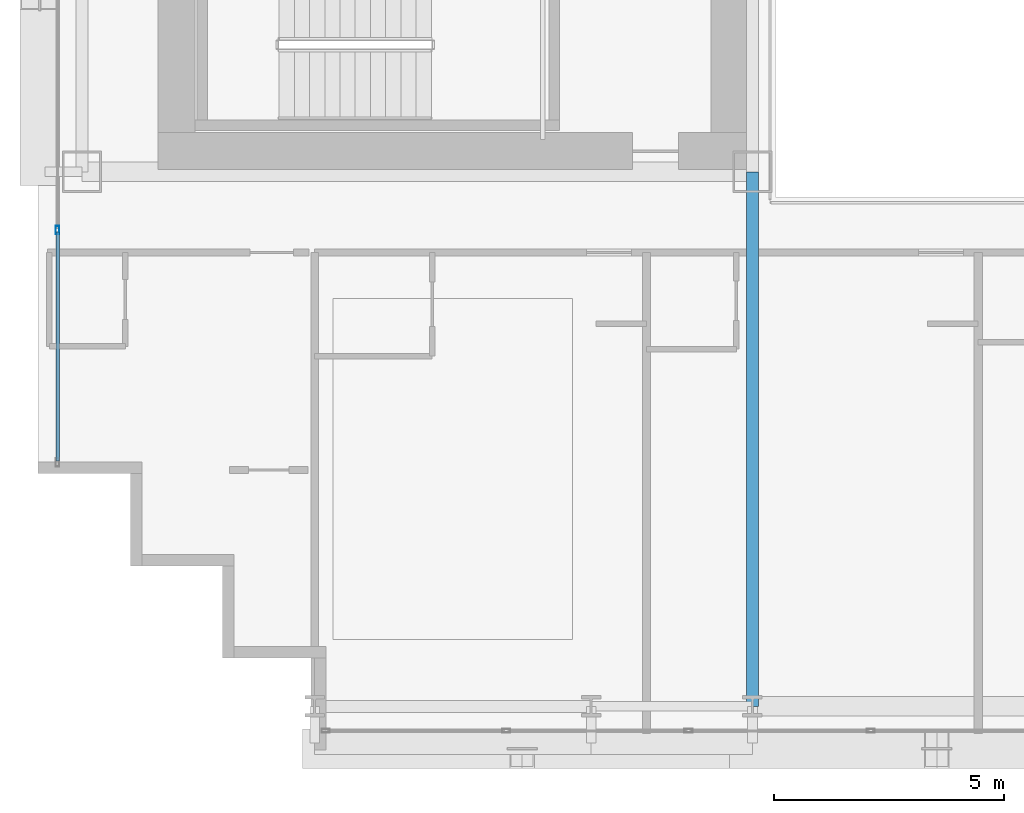
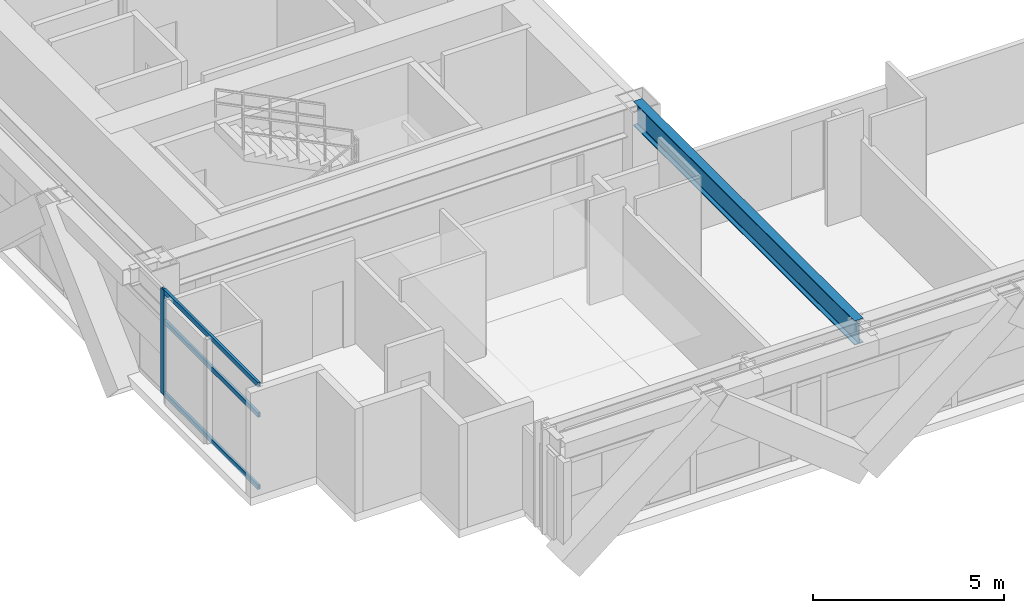
# One storey, part 3 of 35: 4 members, 1 beam, 1 element without a shape of its own.
"""IFC4 building model written with IfcOpenShell, lengths in metres."""

from ifc_helpers import new_model, si_unit, direction, frame, origin, origin_2d, place, context, subcontext, project, spatial, hollow_rectangle, i_section, extrude, source, transform, mapped, material, layer, layer_set, material_profile, profile_set, type_object, element, aggregate, save


model = new_model("IFC4")

# Units and contexts
model_context = context("Model", 3, precision=1e-05, world=origin(), true_north=direction((0.0, 1.0)))
body_context = subcontext(model_context, "Body", "Model", "MODEL_VIEW")
ifc_project = project(units=[si_unit("LENGTHUNIT", "METRE"), si_unit("AREAUNIT", "SQUARE_METRE"), si_unit("VOLUMEUNIT", "CUBIC_METRE"), si_unit("PLANEANGLEUNIT", "RADIAN"), si_unit("MASSUNIT", "GRAM", prefix="KILO")], contexts=[model_context])

# Site, building, storey
site_placement = place(None, origin())
site = spatial("IfcSite", under=ifc_project, at=site_placement, CompositionType="ELEMENT")
building_placement = place(site_placement, origin())
building = spatial("IfcBuilding", under=site, at=building_placement, Name="Ocotamira Hotel", CompositionType="ELEMENT")
storey_placement = place(building_placement, frame((0.0, 0.0, 78.0)))
storey = spatial("IfcBuildingStorey", under=building, at=storey_placement, Name="L19", CompositionType="ELEMENT", Elevation=78.0)

# Beam
ifc_material_1 = material(Name="Steel ASTM A992 Grade 50", Category="steel")
ifc_material_profile_1 = material_profile(ifc_material_1, i_section(OverallWidth=0.26611328125, OverallDepth=0.779052734375, WebThickness=0.0166015625, FlangeThickness=0.030029296875, FilletRadius=0.01806640625, at=origin_2d()), Name="W30X148")
ifc_profile_set_1 = profile_set([ifc_material_profile_1], Name="Steel ASTM A992 Grade 50")
beam_type = type_object("IfcBeamType", Name="BM-GIRD-W30X148", PredefinedType="BEAM", material=ifc_profile_set_1)
shared_shape_1 = source(origin(), body_context, "Body", "SweptSolid", [
    extrude(i_section(OverallWidth=0.26611328125, OverallDepth=0.779052734375, WebThickness=0.0166015625, FlangeThickness=0.030029296875, FilletRadius=0.01806640625, at=origin_2d()), origin(), (0.0, 0.0, 1.0), 11.60009765625),
])
beam_placement = place(storey_placement, frame((23.5, 2.949951171875, 2.96044921875), z_axis=(0.0, 1.0, 0.0), x_axis=(-1.0, 0.0, 0.0)))
element("IfcBeam", 1, at=beam_placement, inside=storey, type_object=beam_type, Name="L19 Beam X23.5 Y2.95-14.55", PredefinedType="BEAM", context=body_context, shape_type="MappedRepresentation", body=[
    mapped(shared_shape_1, transform((0.0, 0.0, 0.0), scale=1.0)),
])

# Curtain wall, members
ifc_material_2 = material(Name="Anodised pale-metal aluminium and solar glass", Category="aluminium")
ifc_layer = layer(ifc_material_2, 0.179931640625)
ifc_layer_set = layer_set([ifc_layer], Name="Anodised pale-metal aluminium and solar glass")
curtain_wall_type = type_object("IfcCurtainWallType", Name="CW-SYS2-Z1", PredefinedType="NOTDEFINED", material=ifc_layer_set)
curtain_wall_placement = place(storey_placement, origin())
curtain_wall = element("IfcCurtainWall", 2, at=curtain_wall_placement, inside=storey, type_object=curtain_wall_type, Name="L19 Curtain Wall CW-2 CW-L19-W", PredefinedType="NOTDEFINED")
ifc_material_3 = material(Name="Anodised pale-metal aluminium 6063-T6", Category="aluminium")
ifc_material_profile_2 = material_profile(ifc_material_3, hollow_rectangle(XDim=0.074951171875, YDim=0.14990234375, WallThickness=0.006103515625, at=origin_2d()), Name="HSS150X75X6")
ifc_profile_set_2 = profile_set([ifc_material_profile_2], Name="Anodised pale-metal aluminium 6063-T6")
member_type_1 = type_object("IfcMemberType", Name="CWT-150X75", PredefinedType="USERDEFINED", material=ifc_profile_set_2)
shared_shape_2 = source(origin(), body_context, "Body", "SweptSolid", [
    extrude(hollow_rectangle(XDim=0.074951171875, YDim=0.14990234375, WallThickness=0.006103515625, at=origin_2d()), origin(), (0.0, 0.0, 1.0), 4.965576171875),
])
member_1_placement = place(storey_placement, frame((8.419921875, 8.280029296875, 0.03759765625), z_axis=(0.0, 1.0, 0.0), x_axis=(-1.0, 0.0, 0.0)))
member_1 = element("IfcMember", 3, at=member_1_placement, type_object=member_type_1, Name="CW-2 transom 1.1", ObjectType="TRANSOM", PredefinedType="USERDEFINED", context=body_context, shape_type="MappedRepresentation", body=[
    mapped(shared_shape_2, transform((0.0, 0.0, 0.0), scale=1.0)),
])
member_2_placement = place(storey_placement, frame((8.419921875, 8.280029296875, 2.35009765625), z_axis=(0.0, 1.0, 0.0), x_axis=(-1.0, 0.0, 0.0)))
member_2 = element("IfcMember", 4, at=member_2_placement, type_object=member_type_1, Name="CW-2 transom 1.2", ObjectType="TRANSOM", PredefinedType="USERDEFINED", context=body_context, shape_type="MappedRepresentation", body=[
    mapped(shared_shape_2, transform((0.0, 0.0, 0.0), scale=1.0)),
])
member_3_placement = place(storey_placement, frame((8.419921875, 8.280029296875, 3.3125), z_axis=(0.0, 1.0, 0.0), x_axis=(-1.0, 0.0, 0.0)))
member_3 = element("IfcMember", 5, at=member_3_placement, type_object=member_type_1, Name="CW-2 transom 1.3", ObjectType="TRANSOM", PredefinedType="USERDEFINED", context=body_context, shape_type="MappedRepresentation", body=[
    mapped(shared_shape_2, transform((0.0, 0.0, 0.0), scale=1.0)),
])
ifc_material_profile_3 = material_profile(ifc_material_3, hollow_rectangle(XDim=0.080078125, YDim=0.179931640625, WallThickness=0.006103515625, at=origin_2d()), Name="HSS180X80X6")
ifc_profile_set_3 = profile_set([ifc_material_profile_3], Name="Anodised pale-metal aluminium 6063-T6")
member_type_2 = type_object("IfcMemberType", Name="CWM-180X75", PredefinedType="MULLION", material=ifc_profile_set_3)
shared_shape_3 = source(origin(), body_context, "Body", "SweptSolid", [
    extrude(hollow_rectangle(XDim=0.080078125, YDim=0.179931640625, WallThickness=0.006103515625, at=origin_2d()), origin(), (0.0, 0.0, 1.0), 3.35009765625),
])
member_4_placement = place(storey_placement, frame((8.419921875, 13.28564453125, 0.0), z_axis=(0.0, 0.0, 1.0), x_axis=(-1.0, 0.0, 0.0)))
member_4 = element("IfcMember", 6, at=member_4_placement, type_object=member_type_2, Name="CW-2 mullion 2", PredefinedType="MULLION", context=body_context, shape_type="MappedRepresentation", body=[
    mapped(shared_shape_3, transform((0.0, 0.0, 0.0), scale=1.0)),
])
aggregate(curtain_wall, [member_4, member_1, member_2, member_3])

save(model, "model.ifc")
